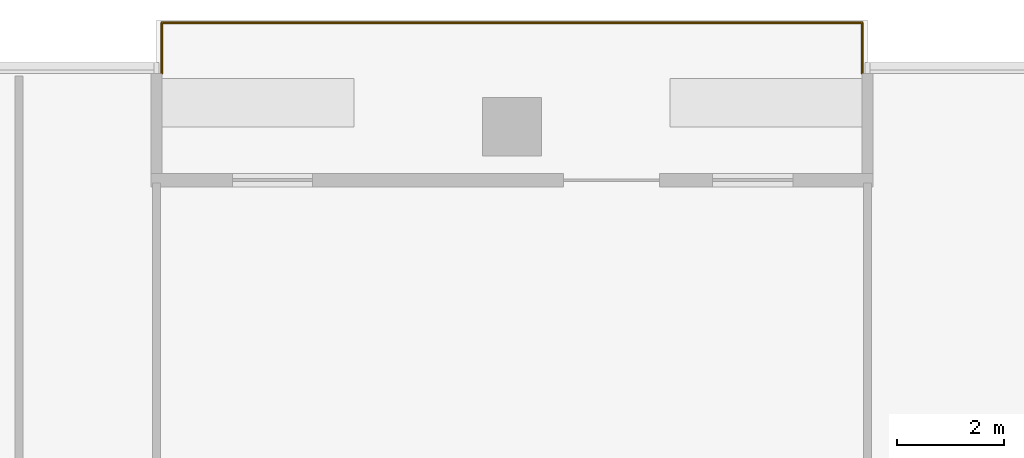
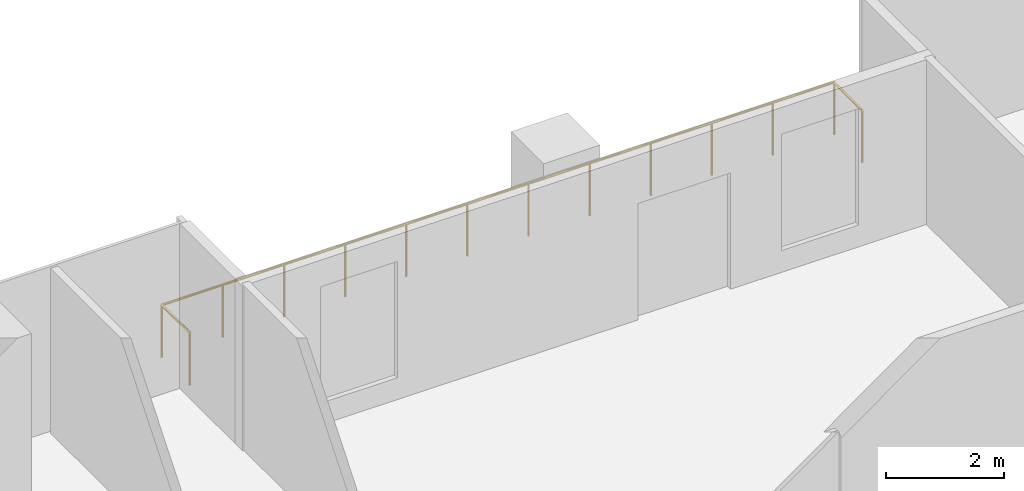
# One storey, part 14 of 14: 1 railing.
"""IFC4 building model written with IfcOpenShell, lengths in metres."""

from ifc_helpers import new_model, si_unit, direction, frame, origin, origin_2d, place, context, subcontext, project, spatial, circle, extrude, material, type_object, element, save


model = new_model("IFC4")

# Units and contexts
model_context = context("Model", 3, precision=1e-05, world=origin(), true_north=direction((0.0, 1.0)))
body_context = subcontext(model_context, "Body", "Model", "MODEL_VIEW")
ifc_project = project(units=[si_unit("LENGTHUNIT", "METRE"), si_unit("AREAUNIT", "SQUARE_METRE"), si_unit("VOLUMEUNIT", "CUBIC_METRE"), si_unit("PLANEANGLEUNIT", "RADIAN"), si_unit("MASSUNIT", "GRAM", prefix="KILO")], contexts=[model_context])

# Site, building, storey
site_placement = place(None, origin())
site = spatial("IfcSite", under=ifc_project, at=site_placement, CompositionType="ELEMENT")
building_placement = place(site_placement, origin())
building = spatial("IfcBuilding", under=site, at=building_placement, Name="Mopane Tessera Tower", CompositionType="ELEMENT")
storey_placement = place(building_placement, frame((0.0, 0.0, 255.0)))
storey = spatial("IfcBuildingStorey", under=building, at=storey_placement, Name="L55", CompositionType="ELEMENT", Elevation=255.0)

# Railing
ifc_material = material(Name="Stainless steel S316", Category="steel")
railing_type = type_object("IfcRailingType", Name="Terrace guard 1100", PredefinedType="GUARDRAIL", material=ifc_material)
railing_placement = place(storey_placement, frame((17.659912109375, 24.75, 0.0)))
element("IfcRailing", 1, at=railing_placement, inside=storey, type_object=railing_type, Name="e:nw:L55:N2:guard", PredefinedType="GUARDRAIL", context=body_context, shape_type="SweptSolid", body=[
    extrude(circle(Radius=0.02392578125, at=origin_2d()), frame((0.0, 0.0, 1.076171875), z_axis=(0.0, 1.0, 0.0), x_axis=(-1.0, 0.0, 0.0)), (0.0, 0.0, 1.0), 0.949951171875),
    extrude(circle(Radius=0.02392578125, at=origin_2d()), frame((0.0, 0.949951171875, 1.076171875), z_axis=(-1.0, 0.0, 0.0), x_axis=(0.0, -1.0, 0.0)), (0.0, 0.0, 1.0), 13.119873046875),
    extrude(circle(Radius=0.02392578125, at=origin_2d()), frame((-13.119873046875, 0.949951171875, 1.076171875), z_axis=(0.0, -1.0, 0.0), x_axis=(1.0, 0.0, 0.0)), (0.0, 0.0, 1.0), 0.949951171875),
    extrude(circle(Radius=0.02099609375, at=origin_2d()), origin(), (0.0, 0.0, 1.0), 1.052001953125),
    extrude(circle(Radius=0.02099609375, at=origin_2d()), frame((0.0, 0.949951171875, 0.0)), (0.0, 0.0, 1.0), 1.052001953125),
    extrude(circle(Radius=0.02099609375, at=origin_2d()), frame((-1.192626953125, 0.949951171875, 0.0)), (0.0, 0.0, 1.0), 1.052001953125),
    extrude(circle(Radius=0.02099609375, at=origin_2d()), frame((-2.385498046875, 0.949951171875, 0.0)), (0.0, 0.0, 1.0), 1.052001953125),
    extrude(circle(Radius=0.02099609375, at=origin_2d()), frame((-3.578125, 0.949951171875, 0.0)), (0.0, 0.0, 1.0), 1.052001953125),
    extrude(circle(Radius=0.02099609375, at=origin_2d()), frame((-4.770751953125, 0.949951171875, 0.0)), (0.0, 0.0, 1.0), 1.052001953125),
    extrude(circle(Radius=0.02099609375, at=origin_2d()), frame((-5.963623046875, 0.949951171875, 0.0)), (0.0, 0.0, 1.0), 1.052001953125),
    extrude(circle(Radius=0.02099609375, at=origin_2d()), frame((-7.15625, 0.949951171875, 0.0)), (0.0, 0.0, 1.0), 1.052001953125),
    extrude(circle(Radius=0.02099609375, at=origin_2d()), frame((-8.34912109375, 0.949951171875, 0.0)), (0.0, 0.0, 1.0), 1.052001953125),
    extrude(circle(Radius=0.02099609375, at=origin_2d()), frame((-9.541748046875, 0.949951171875, 0.0)), (0.0, 0.0, 1.0), 1.052001953125),
    extrude(circle(Radius=0.02099609375, at=origin_2d()), frame((-10.734375, 0.949951171875, 0.0)), (0.0, 0.0, 1.0), 1.052001953125),
    extrude(circle(Radius=0.02099609375, at=origin_2d()), frame((-11.92724609375, 0.949951171875, 0.0)), (0.0, 0.0, 1.0), 1.052001953125),
    extrude(circle(Radius=0.02099609375, at=origin_2d()), frame((-13.119873046875, 0.949951171875, 0.0)), (0.0, 0.0, 1.0), 1.052001953125),
    extrude(circle(Radius=0.02099609375, at=origin_2d()), frame((-13.119873046875, 0.0, 0.0)), (0.0, 0.0, 1.0), 1.052001953125),
])

save(model, "model.ifc")
